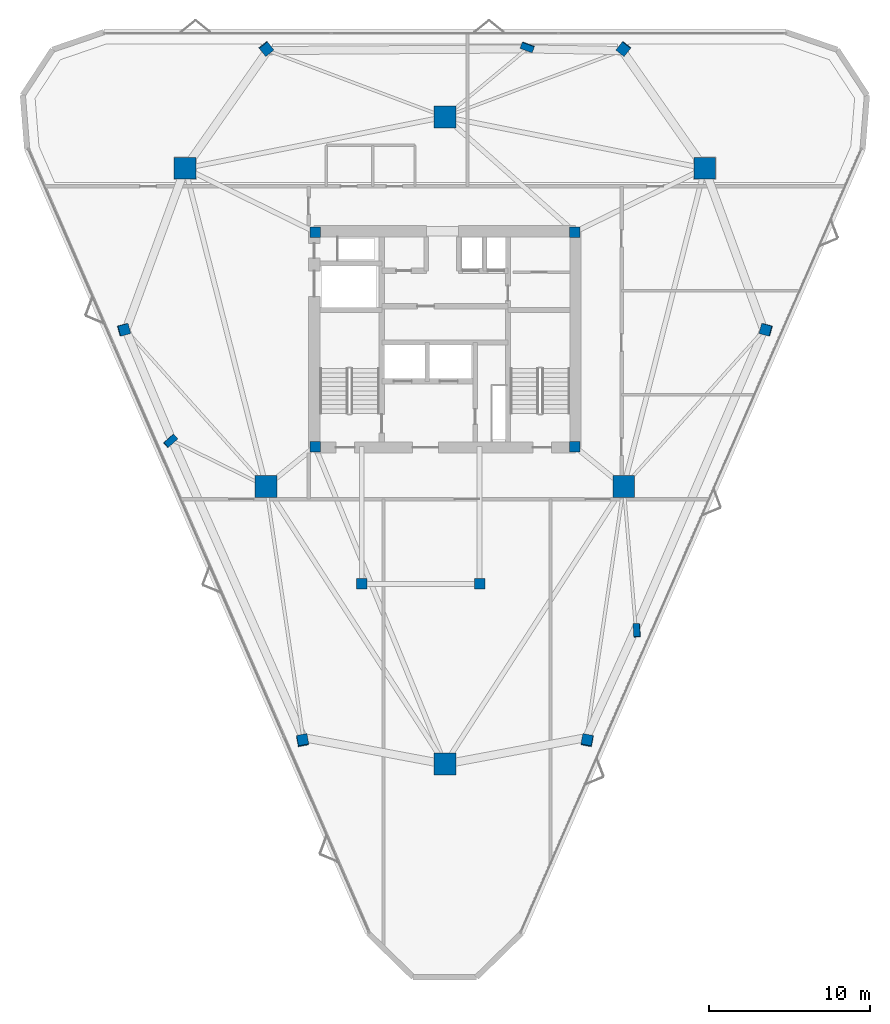
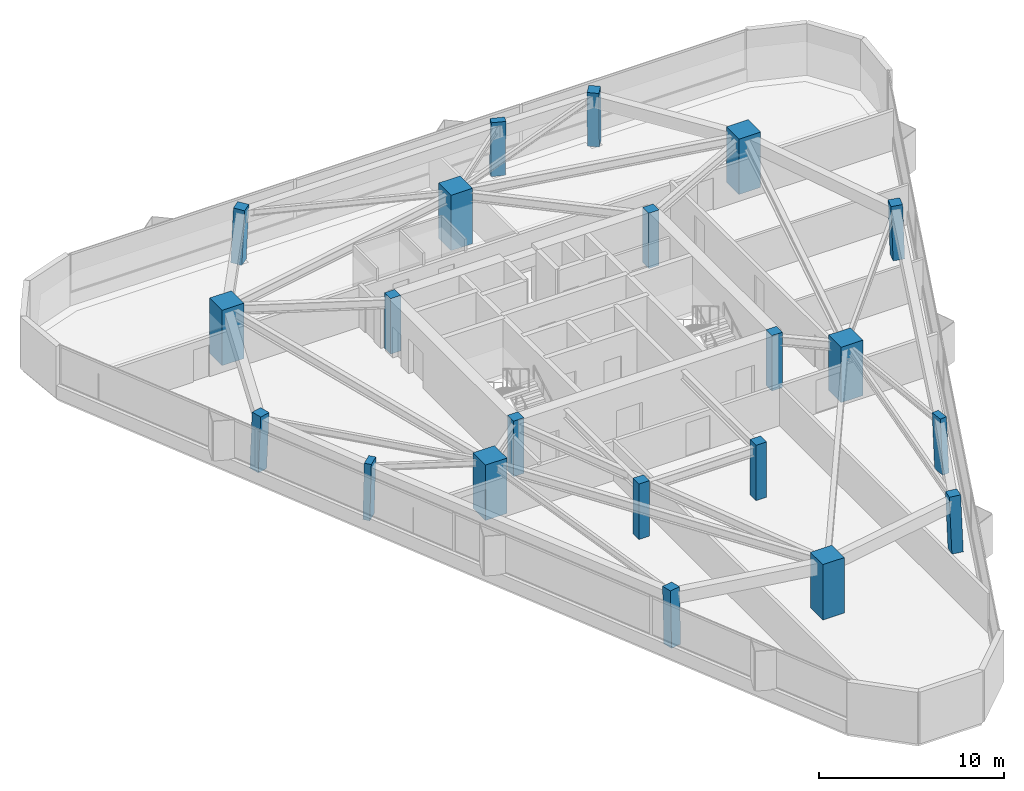
# One storey, part 1 of 13: 21 columns.
"""IFC4 building model written with IfcOpenShell, lengths in metres."""

from ifc_helpers import new_model, si_unit, direction, frame, origin, origin_2d, place, context, subcontext, project, spatial, rectangle, extrude, material, material_profile, profile_set, type_object, element, save


model = new_model("IFC4")

# Units and contexts
model_context = context("Model", 3, precision=1e-05, world=origin(), true_north=direction((0.0, 1.0)))
body_context = subcontext(model_context, "Body", "Model", "MODEL_VIEW")
ifc_project = project(units=[si_unit("LENGTHUNIT", "METRE"), si_unit("AREAUNIT", "SQUARE_METRE"), si_unit("VOLUMEUNIT", "CUBIC_METRE"), si_unit("PLANEANGLEUNIT", "RADIAN"), si_unit("MASSUNIT", "GRAM", prefix="KILO")], contexts=[model_context])

# Site, building, storey
site_placement = place(None, origin())
site = spatial("IfcSite", under=ifc_project, at=site_placement, CompositionType="ELEMENT")
building_placement = place(site_placement, origin())
building = spatial("IfcBuilding", under=site, at=building_placement, Name="Talyreon Biosciences Tower", CompositionType="ELEMENT")
storey_placement = place(building_placement, frame((0.0, 0.0, 190.35009765625)))
storey = spatial("IfcBuildingStorey", under=building, at=storey_placement, Name="L50", CompositionType="ELEMENT", Elevation=190.35009765625)

# Columns
ifc_material_1 = material(Name="Precast concrete C45/55", Category="concrete")
ifc_material_profile_1 = material_profile(ifc_material_1, rectangle(XDim=0.800048828125, YDim=0.39990234375, at=origin_2d()), Name="RC 800x400")
ifc_profile_set_1 = profile_set([ifc_material_profile_1], Name="Precast concrete C45/55")
column_type_1 = type_object("IfcColumnType", Name="FacadePilaster_800x400", PredefinedType="PILASTER", material=ifc_profile_set_1)
column_1_placement = place(storey_placement, frame((77.90673828125, 49.936767578125, 0.0029296875), z_axis=(-0.019611953815, 0.038353752683, 0.999071749637), x_axis=(0.061891747015, -0.997300909957, 0.03950071709)))
element("IfcColumn", 1, at=column_1_placement, inside=storey, type_object=column_type_1, Name="L50 Facade Pilaster PL-SE", PredefinedType="PILASTER", context=body_context, shape_type="SweptSolid", body=[
    extrude(rectangle(XDim=0.800048828125, YDim=0.39990234375, at=origin_2d()), origin(), (0.0, 0.0, 1.0), 3.6474609375),
])
column_2_placement = place(storey_placement, frame((71.11669921875, 86.12451171875, 0.0029296875), z_axis=(-0.012453468876, -0.03361097514, 0.999357400264), x_axis=(-0.937703688038, 0.347436027839, 0.0)))
element("IfcColumn", 2, at=column_2_placement, inside=storey, type_object=column_type_1, Name="L50 Facade Pilaster PL-N", PredefinedType="PILASTER", context=body_context, shape_type="SweptSolid", body=[
    extrude(rectangle(XDim=0.800048828125, YDim=0.39990234375, at=origin_2d()), origin(), (0.0, 0.0, 1.0), 3.646484375),
])
column_3_placement = place(storey_placement, frame((48.9765625, 61.697509765625, 0.0029296875), z_axis=(0.032006454348, 0.010579539303, 0.999431668614), x_axis=(0.74494640129, 0.66640781244, -0.03091094829)))
element("IfcColumn", 3, at=column_3_placement, inside=storey, type_object=column_type_1, Name="L50 Facade Pilaster PL-SW", PredefinedType="PILASTER", context=body_context, shape_type="SweptSolid", body=[
    extrude(rectangle(XDim=0.800048828125, YDim=0.39990234375, at=origin_2d()), origin(), (0.0, 0.0, 1.0), 3.64599609375),
])
ifc_material_2 = material(Name="Concrete C50/60", Category="concrete")
ifc_material_profile_2 = material_profile(ifc_material_2, rectangle(XDim=1.35009765625, YDim=1.35009765625, at=origin_2d()), Name="RC 1350x1350")
ifc_profile_set_2 = profile_set([ifc_material_profile_2], Name="Concrete C50/60")
column_type_2 = type_object("IfcColumnType", Name="MegaColumn_1350", PredefinedType="COLUMN", material=ifc_profile_set_2)
for number, where, z_axis, x_axis, name in (
    (4, (66.0, 41.6669921875, 0.0), (0.0, 0.0, 1.0), (1.0, 0.0, 0.0), "L50 Composite Mega-Column MC1"),
    (5, (82.102294921875, 78.5986328125, 0.0), (0.0, 0.0, 1.0), (1.0, 0.0, 0.0), "L50 Composite Mega-Column MC2"),
    (6, (49.897705078125, 78.5986328125, 0.0), (0.0, 0.0, 1.0), (1.0, 0.0, 0.0), "L50 Composite Mega-Column MC3"),
    (7, (77.086181640625, 58.88037109375, 0.0), (0.0, 0.0, 1.0), (1.0, 0.0, 0.0), "L50 Composite Mega-Column MC4"),
    (8, (66.0, 81.788818359375, 0.0), (0.0, 0.0, 1.0), (1.0, 0.0, 0.0), "L50 Composite Mega-Column MC5"),
    (9, (54.913818359375, 58.88037109375, 0.0), (0.0, 0.0, 1.0), (1.0, 0.0, 0.0), "L50 Composite Mega-Column MC6"),
):
    element("IfcColumn", number, at=place(storey_placement, frame(where, z_axis=z_axis, x_axis=x_axis)), inside=storey, type_object=column_type_2, Name=name, PredefinedType="COLUMN", context=body_context, shape_type="SweptSolid", body=[
        extrude(rectangle(XDim=1.35009765625, YDim=1.35009765625, at=origin_2d()), origin(), (0.0, 0.0, 1.0), 3.64990234375),
    ])
ifc_material_profile_3 = material_profile(ifc_material_2, rectangle(XDim=0.64990234375, YDim=0.64990234375, at=origin_2d()), Name="RC 650x650")
ifc_profile_set_3 = profile_set([ifc_material_profile_3], Name="Concrete C50/60")
column_type_3 = type_object("IfcColumnType", Name="PerimeterColumn_650", PredefinedType="COLUMN", material=ifc_profile_set_3)
for number, where, z_axis, x_axis, name in (
    (10, (57.949951171875, 61.35009765625, 0.0), (0.0, 0.0, 1.0), (1.0, 0.0, 0.0), "L50 Core Column CC1"),
    (11, (74.050048828125, 61.35009765625, 0.0), (0.0, 0.0, 1.0), (1.0, 0.0, 0.0), "L50 Core Column CC2"),
    (12, (74.050048828125, 74.64990234375, 0.0), (0.0, 0.0, 1.0), (1.0, 0.0, 0.0), "L50 Core Column CC3"),
    (13, (57.949951171875, 74.64990234375, 0.0), (0.0, 0.0, 1.0), (1.0, 0.0, 0.0), "L50 Core Column CC4"),
    (14, (60.85009765625, 52.840087890625, 0.0), (0.0, 0.0, 1.0), (1.0, 0.0, 0.0), "L50 Core Column CSW"),
    (15, (68.14990234375, 52.840087890625, 0.0), (0.0, 0.0, 1.0), (1.0, 0.0, 0.0), "L50 Core Column CSE"),
):
    element("IfcColumn", number, at=place(storey_placement, frame(where, z_axis=z_axis, x_axis=x_axis)), inside=storey, type_object=column_type_3, Name=name, PredefinedType="COLUMN", context=body_context, shape_type="SweptSolid", body=[
        extrude(rectangle(XDim=0.64990234375, YDim=0.64990234375, at=origin_2d()), origin(), (0.0, 0.0, 1.0), 3.64990234375),
    ])
column_4_placement = place(storey_placement, frame((74.830322265625, 43.1162109375, 0.0029296875), z_axis=(-0.012308213911, 0.054517360531, 0.99843696109), x_axis=(-0.187522118041, -0.980922504357, 0.051249348207)))
element("IfcColumn", 16, at=column_4_placement, inside=storey, type_object=column_type_3, Name="L50 Tapering Perimeter Column PC-SE1", PredefinedType="COLUMN", context=body_context, shape_type="SweptSolid", body=[
    extrude(rectangle(XDim=0.64990234375, YDim=0.64990234375, at=origin_2d()), origin(), (0.0, 0.0, 1.0), 3.649658203125),
])
column_5_placement = place(storey_placement, frame((85.91650390625, 68.597900390625, 0.0029296875), z_axis=(-0.039296334646, -0.005690269923, 0.99921139851), x_axis=(0.963967801303, -0.263515495156, 0.036409639708)))
element("IfcColumn", 17, at=column_5_placement, inside=storey, type_object=column_type_3, Name="L50 Tapering Perimeter Column PC-SE2", PredefinedType="COLUMN", context=body_context, shape_type="SweptSolid", body=[
    extrude(rectangle(XDim=0.64990234375, YDim=0.64990234375, at=origin_2d()), origin(), (0.0, 0.0, 1.0), 3.64697265625),
])
for number, where, z_axis, x_axis, name in (
    (18, (77.0859375, 86.0244140625, 0.0029296875), (-0.026841076243, -0.033534611465, 0.999077067328), (-0.780716755404, 0.624885067698, 0.0), "L50 Tapering Perimeter Column PC-N1"),
    (19, (54.9140625, 86.0244140625, 0.0029296875), (0.026907963191, -0.033534551141, 0.999075270136), (-0.779956681152, -0.625833504637, 0.0), "L50 Tapering Perimeter Column PC-N2"),
):
    element("IfcColumn", number, at=place(storey_placement, frame(where, z_axis=z_axis, x_axis=x_axis)), inside=storey, type_object=column_type_3, Name=name, PredefinedType="COLUMN", context=body_context, shape_type="SweptSolid", body=[
        extrude(rectangle(XDim=0.64990234375, YDim=0.64990234375, at=origin_2d()), origin(), (0.0, 0.0, 1.0), 3.6474609375),
    ])
column_6_placement = place(storey_placement, frame((46.08349609375, 68.597900390625, 0.0029296875), z_axis=(0.039296334646, -0.005690269923, 0.99921139851), x_axis=(0.963967801303, 0.263515495156, -0.036409639708)))
element("IfcColumn", 20, at=column_6_placement, inside=storey, type_object=column_type_3, Name="L50 Tapering Perimeter Column PC-SW1", PredefinedType="COLUMN", context=body_context, shape_type="SweptSolid", body=[
    extrude(rectangle(XDim=0.64990234375, YDim=0.64990234375, at=origin_2d()), origin(), (0.0, 0.0, 1.0), 3.64697265625),
])
column_7_placement = place(storey_placement, frame((57.169677734375, 43.1162109375, 0.0029296875), z_axis=(0.012308213911, 0.054517360531, 0.99843696109), x_axis=(-0.187522118041, 0.980922504357, -0.051249348207)))
element("IfcColumn", 21, at=column_7_placement, inside=storey, type_object=column_type_3, Name="L50 Tapering Perimeter Column PC-SW2", PredefinedType="COLUMN", context=body_context, shape_type="SweptSolid", body=[
    extrude(rectangle(XDim=0.64990234375, YDim=0.64990234375, at=origin_2d()), origin(), (0.0, 0.0, 1.0), 3.649658203125),
])

save(model, "model.ifc")
